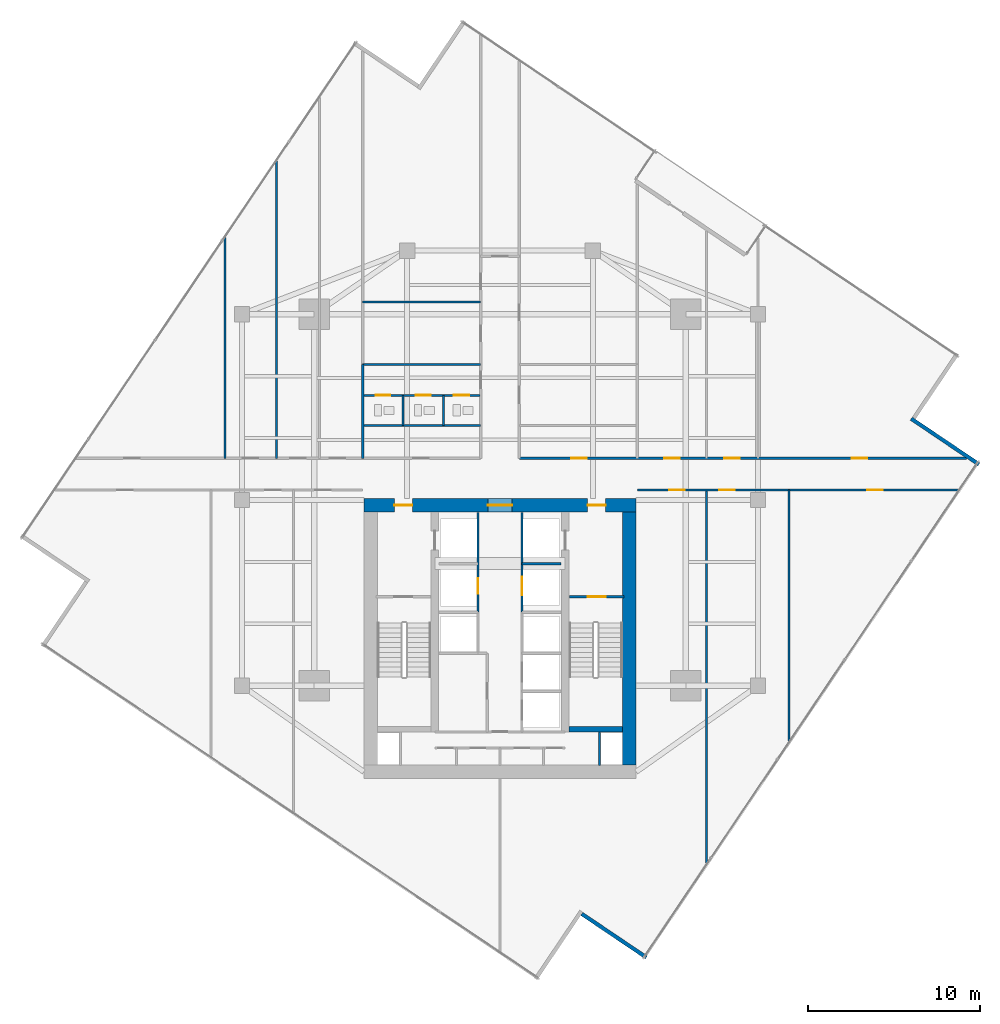
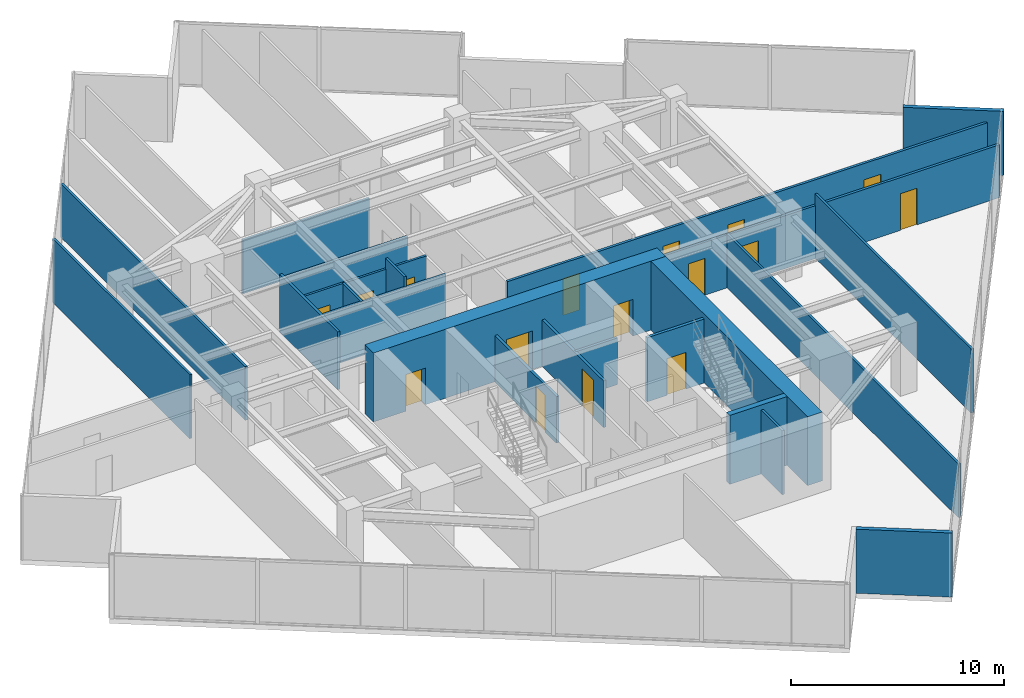
# One storey, part 24 of 27: 23 walls, 16 doors, 16 openings.
"""IFC4 building model written with IfcOpenShell, lengths in metres."""

from ifc_helpers import new_model, si_unit, direction, frame, frame_2d, origin, place, context, subcontext, project, spatial, rectangle, extrude, material, layer, layer_set, type_object, element, fill, save


model = new_model("IFC4")

# Units and contexts
model_context = context("Model", 3, precision=1e-05, world=origin(), true_north=direction((0.0, 1.0)))
body_context = subcontext(model_context, "Body", "Model", "MODEL_VIEW")
ifc_project = project(units=[si_unit("LENGTHUNIT", "METRE"), si_unit("AREAUNIT", "SQUARE_METRE"), si_unit("VOLUMEUNIT", "CUBIC_METRE"), si_unit("PLANEANGLEUNIT", "RADIAN"), si_unit("MASSUNIT", "GRAM", prefix="KILO")], contexts=[model_context])

# Site, building, storey
site_placement = place(None, origin())
site = spatial("IfcSite", under=ifc_project, at=site_placement, CompositionType="ELEMENT")
building_placement = place(site_placement, origin())
building = spatial("IfcBuilding", under=site, at=building_placement, Name="Krantzveldt Concourse Tower", CompositionType="ELEMENT")
storey_placement = place(building_placement, frame((0.0, 0.0, 189.64990234375)))
storey = spatial("IfcBuildingStorey", under=building, at=storey_placement, Name="L46", CompositionType="ELEMENT", Elevation=189.64990234375)

# Walls
ifc_material_1 = material(Name="Anodised aluminium 6063-T6", Category="aluminium")
ifc_layer_1 = layer(ifc_material_1, 0.219970703125, Name="Anodised aluminium 6063-T6", Category="aluminium")
ifc_layer_set_1 = layer_set([ifc_layer_1], Name="Anodised aluminium 6063-T6 (WL-EXT-NOTCH220)")
wall_type_1 = type_object("IfcWallType", Name="WL-EXT-NOTCH220", PredefinedType="ELEMENTEDWALL", material=ifc_layer_set_1)
wall_1_placement = place(storey_placement, frame((40.7568359375, 2.635986328125, 0.0), z_axis=(0.0, 0.0, 1.0), x_axis=(0.82905002528, -0.559174441104, 0.0)))
element("IfcWall", 1, at=wall_1_placement, inside=storey, type_object=wall_type_1, Name="EW-L46-NCH06", PredefinedType="ELEMENTEDWALL", context=body_context, shape_type="SweptSolid", body=[
    extrude(rectangle(XDim=4.52490234375, YDim=0.219970703125, at=frame_2d((2.262451171875, 0.0))), origin(), (0.0, 0.0, 1.0), 3.670166015625),
])
wall_2_placement = place(storey_placement, frame((63.844970703125, 28.773681640625, 0.0), z_axis=(0.0, 0.0, 1.0), x_axis=(-0.829006114382, 0.559239539301, 0.0)))
element("IfcWall", 2, at=wall_2_placement, inside=storey, type_object=wall_type_1, Name="EW-L46-NCH08", PredefinedType="ELEMENTEDWALL", context=body_context, shape_type="SweptSolid", body=[
    extrude(rectangle(XDim=4.744873046875, YDim=0.219970703125, at=frame_2d((2.37255859375, 0.0))), origin(), (0.0, 0.0, 1.0), 3.670166015625),
])
ifc_material_2 = material(Name="Fire-rated gypsum plasterboard on steel stud", Category="steel")
ifc_layer_2 = layer(ifc_material_2, 0.1201171875, Name="Fire-rated gypsum plasterboard on steel stud", Category="steel")
ifc_layer_set_2 = layer_set([ifc_layer_2], Name="Fire-rated gypsum plasterboard on steel stud (WL-PART-120)")
wall_type_2 = type_object("IfcWallType", Name="WL-PART-120", PredefinedType="PARTITIONING", material=ifc_layer_set_2)
wall_3_placement = place(storey_placement, frame((28.02001953125, 31.02001953125, 0.0), z_axis=(0.0, 0.0, 1.0), x_axis=(1.0, 0.0, 0.0)))
element("IfcWall", 3, at=wall_3_placement, inside=storey, type_object=wall_type_2, Name="WP-L46-ISML", PredefinedType="PARTITIONING", context=body_context, shape_type="SweptSolid", body=[
    extrude(rectangle(XDim=6.85986328125, YDim=0.1201171875, at=frame_2d((3.429931640625, 0.0))), origin(), (0.0, 0.0, 1.0), 3.080078125),
])

# Wall, openings, doors
wall_4_placement = place(storey_placement, frame((28.050048828125, 32.780029296875, 0.0), z_axis=(0.0, 0.0, 1.0), x_axis=(1.0, 0.0, 0.0)))
wall_4 = element("IfcWall", 4, at=wall_4_placement, inside=storey, type_object=wall_type_2, Name="WP-L46-WCHDR", PredefinedType="PARTITIONING", context=body_context, shape_type="SweptSolid", body=[
    extrude(rectangle(XDim=6.800048828125, YDim=0.1201171875, at=frame_2d((3.39990234375, 0.0))), origin(), (0.0, 0.0, 1.0), 3.080078125),
])
opening_1_placement = place(wall_4_placement, frame((0.72509765625, 0.0, 0.0)))
opening_1 = element("IfcOpeningElement", 5, at=opening_1_placement, cuts=wall_4, Name="Opening D-IN085", PredefinedType="OPENING", context=body_context, shape_type="SweptSolid", body=[
    extrude(rectangle(XDim=0.85009765625, YDim=2.10009765625, at=frame_2d((0.425048828125, 1.050048828125))), frame((0.0, 0.070068359375, 0.0), z_axis=(0.0, -1.0, 0.0), x_axis=(1.0, 0.0, 0.0)), (0.0, 0.0, 1.0), 0.14013671875),
])
opening_2_placement = place(wall_4_placement, frame((3.06494140625, 0.0, 0.0)))
opening_2 = element("IfcOpeningElement", 6, at=opening_2_placement, cuts=wall_4, Name="Opening D-IN085", PredefinedType="OPENING", context=body_context, shape_type="SweptSolid", body=[
    extrude(rectangle(XDim=0.85009765625, YDim=2.10009765625, at=frame_2d((0.425048828125, 1.050048828125))), frame((0.0, 0.070068359375, 0.0), z_axis=(0.0, -1.0, 0.0), x_axis=(1.0, 0.0, 0.0)), (0.0, 0.0, 1.0), 0.14013671875),
])
opening_3_placement = place(wall_4_placement, frame((5.25, 0.0, 0.0)))
opening_3 = element("IfcOpeningElement", 7, at=opening_3_placement, cuts=wall_4, Name="Opening D-IN090", PredefinedType="OPENING", context=body_context, shape_type="SweptSolid", body=[
    extrude(rectangle(XDim=0.89990234375, YDim=2.10009765625, at=frame_2d((0.449951171875, 1.050048828125))), frame((0.0, 0.070068359375, 0.0), z_axis=(0.0, -1.0, 0.0), x_axis=(1.0, 0.0, 0.0)), (0.0, 0.0, 1.0), 0.14013671875),
])
ifc_material_3 = material(Name="Hardwood timber", Category="wood")
door_type_1 = type_object("IfcDoorType", Name="DR-INT-850", OperationType="SINGLE_SWING_LEFT", PredefinedType="DOOR", material=ifc_material_3)
door_1_placement = place(opening_1_placement, origin())
door_1 = element("IfcDoor", 8, at=door_1_placement, inside=storey, type_object=door_type_1, Name="DR-L46-WCM", OperationType="SINGLE_SWING_LEFT", OverallHeight=2.10009765625, OverallWidth=0.85009765625, PredefinedType="DOOR", context=body_context, shape_type="SweptSolid", body=[
    extrude(rectangle(XDim=0.85009765625, YDim=2.10009765625, at=frame_2d((0.425048828125, 1.050048828125))), frame((0.0, 0.02490234375, 0.0), z_axis=(0.0, -1.0, 0.0), x_axis=(1.0, 0.0, 0.0)), (0.0, 0.0, 1.0), 0.050048828125),
])
fill(opening_1, door_1)
door_2_placement = place(opening_2_placement, origin())
door_2 = element("IfcDoor", 9, at=door_2_placement, inside=storey, type_object=door_type_1, Name="DR-L46-WCF", OperationType="SINGLE_SWING_RIGHT", OverallHeight=2.10009765625, OverallWidth=0.85009765625, PredefinedType="DOOR", context=body_context, shape_type="SweptSolid", body=[
    extrude(rectangle(XDim=0.85009765625, YDim=2.10009765625, at=frame_2d((0.425048828125, 1.050048828125))), frame((0.0, 0.02490234375, 0.0), z_axis=(0.0, -1.0, 0.0), x_axis=(1.0, 0.0, 0.0)), (0.0, 0.0, 1.0), 0.050048828125),
])
fill(opening_2, door_2)
door_type_2 = type_object("IfcDoorType", Name="DR-INT-900", OperationType="SINGLE_SWING_LEFT", PredefinedType="DOOR", material=ifc_material_3)
door_3_placement = place(opening_3_placement, origin())
door_3 = element("IfcDoor", 10, at=door_3_placement, inside=storey, type_object=door_type_2, Name="DR-L46-WCA", OperationType="SINGLE_SWING_LEFT", OverallHeight=2.10009765625, OverallWidth=0.89990234375, PredefinedType="DOOR", context=body_context, shape_type="SweptSolid", body=[
    extrude(rectangle(XDim=0.89990234375, YDim=2.10009765625, at=frame_2d((0.449951171875, 1.050048828125))), frame((0.0, 0.02490234375, 0.0), z_axis=(0.0, -1.0, 0.0), x_axis=(1.0, 0.0, 0.0)), (0.0, 0.0, 1.0), 0.050048828125),
])
fill(opening_3, door_3)

# Walls
wall_5_placement = place(storey_placement, frame((30.3701171875, 31.02001953125, 0.0), z_axis=(0.0, 0.0, 1.0), x_axis=(0.0, 1.0, 0.0)))
element("IfcWall", 11, at=wall_5_placement, inside=storey, type_object=wall_type_2, Name="WP-L46-WCD1", PredefinedType="PARTITIONING", context=body_context, shape_type="SweptSolid", body=[
    extrude(rectangle(XDim=1.760009765625, YDim=0.1201171875, at=frame_2d((0.8798828125, 0.0))), origin(), (0.0, 0.0, 1.0), 3.080078125),
])
wall_6_placement = place(storey_placement, frame((32.7099609375, 31.02001953125, 0.0), z_axis=(0.0, 0.0, 1.0), x_axis=(0.0, 1.0, 0.0)))
element("IfcWall", 12, at=wall_6_placement, inside=storey, type_object=wall_type_2, Name="WP-L46-WCD2", PredefinedType="PARTITIONING", context=body_context, shape_type="SweptSolid", body=[
    extrude(rectangle(XDim=1.760009765625, YDim=0.1201171875, at=frame_2d((0.8798828125, 0.0))), origin(), (0.0, 0.0, 1.0), 3.670166015625),
])
wall_7_placement = place(storey_placement, frame((20.0, 29.1201171875, 0.0), z_axis=(0.0, 0.0, 1.0), x_axis=(0.0, 1.0, 0.0)))
element("IfcWall", 13, at=wall_7_placement, inside=storey, type_object=wall_type_2, Name="WP-L46-NWX1", PredefinedType="PARTITIONING", context=body_context, shape_type="SweptSolid", body=[
    extrude(rectangle(XDim=12.861572265625, YDim=0.1201171875, at=frame_2d((6.4306640625, 0.0))), origin(), (0.0, 0.0, 1.0), 3.670166015625),
])
wall_8_placement = place(storey_placement, frame((23.0, 29.1201171875, 0.0), z_axis=(0.0, 0.0, 1.0), x_axis=(0.0, 1.0, 0.0)))
element("IfcWall", 14, at=wall_8_placement, inside=storey, type_object=wall_type_2, Name="WP-L46-NWX2", PredefinedType="PARTITIONING", context=body_context, shape_type="SweptSolid", body=[
    extrude(rectangle(XDim=17.309326171875, YDim=0.1201171875, at=frame_2d((8.65478515625, 0.0))), origin(), (0.0, 0.0, 1.0), 3.080078125),
])
wall_9_placement = place(storey_placement, frame((28.02001953125, 38.199951171875, 0.0), z_axis=(0.0, 0.0, 1.0), x_axis=(1.0, 0.0, 0.0)))
element("IfcWall", 15, at=wall_9_placement, inside=storey, type_object=wall_type_2, Name="WP-L46-NWIY", PredefinedType="PARTITIONING", context=body_context, shape_type="SweptSolid", body=[
    extrude(rectangle(XDim=6.85986328125, YDim=0.1201171875, at=frame_2d((3.429931640625, 0.0))), origin(), (0.0, 0.0, 1.0), 3.080078125),
])
wall_10_placement = place(storey_placement, frame((48.0, 5.488037109375, 0.0), z_axis=(0.0, 0.0, 1.0), x_axis=(0.0, 1.0, 0.0)))
element("IfcWall", 16, at=wall_10_placement, inside=storey, type_object=wall_type_2, Name="WP-L46-SEX1", PredefinedType="PARTITIONING", context=body_context, shape_type="SweptSolid", body=[
    extrude(rectangle(XDim=21.7919921875, YDim=0.1201171875, at=frame_2d((10.89599609375, 0.0))), origin(), (0.0, 0.0, 1.0), 3.080078125),
])
wall_11_placement = place(storey_placement, frame((52.800048828125, 12.6044921875, 0.0), z_axis=(0.0, 0.0, 1.0), x_axis=(0.0, 1.0, 0.0)))
element("IfcWall", 17, at=wall_11_placement, inside=storey, type_object=wall_type_2, Name="WP-L46-SEX2", PredefinedType="PARTITIONING", context=body_context, shape_type="SweptSolid", body=[
    extrude(rectangle(XDim=14.675537109375, YDim=0.1201171875, at=frame_2d((7.337890625, 0.0))), origin(), (0.0, 0.0, 1.0), 3.670166015625),
])

# Wall, openings, doors
ifc_layer_3 = layer(ifc_material_2, 0.139892578125, Name="Fire-rated gypsum plasterboard on steel stud", Category="steel")
ifc_layer_set_3 = layer_set([ifc_layer_3], Name="Fire-rated gypsum plasterboard on steel stud (WL-PART-140)")
wall_type_3 = type_object("IfcWallType", Name="WL-PART-140", PredefinedType="PARTITIONING", material=ifc_layer_set_3)
wall_12_placement = place(storey_placement, frame((37.1201171875, 29.1201171875, 0.0), z_axis=(0.0, 0.0, 1.0), x_axis=(1.0, 0.0, 0.0)))
wall_12 = element("IfcWall", 18, at=wall_12_placement, inside=storey, type_object=wall_type_3, Name="WP-L46-EWNR", PredefinedType="PARTITIONING", context=body_context, shape_type="SweptSolid", body=[
    extrude(rectangle(XDim=26.006103515625, YDim=0.139892578125, at=frame_2d((13.0029296875, 0.0))), origin(), (0.0, 0.0, 1.0), 3.030029296875),
])
opening_4_placement = place(wall_12_placement, frame((3.030029296875, 0.0, 0.0)))
opening_4 = element("IfcOpeningElement", 19, at=opening_4_placement, cuts=wall_12, Name="Opening D-IN090", PredefinedType="OPENING", context=body_context, shape_type="SweptSolid", body=[
    extrude(rectangle(XDim=0.89990234375, YDim=2.10009765625, at=frame_2d((0.449951171875, 1.050048828125))), frame((0.0, 0.080078125, 0.0), z_axis=(0.0, -1.0, 0.0), x_axis=(1.0, 0.0, 0.0)), (0.0, 0.0, 1.0), 0.159912109375),
])
opening_5_placement = place(wall_12_placement, frame((8.419921875, 0.0, 0.0)))
opening_5 = element("IfcOpeningElement", 20, at=opening_5_placement, cuts=wall_12, Name="Opening D-IN090", PredefinedType="OPENING", context=body_context, shape_type="SweptSolid", body=[
    extrude(rectangle(XDim=0.89990234375, YDim=2.10009765625, at=frame_2d((0.449951171875, 1.050048828125))), frame((0.0, 0.080078125, 0.0), z_axis=(0.0, -1.0, 0.0), x_axis=(1.0, 0.0, 0.0)), (0.0, 0.0, 1.0), 0.159912109375),
])
opening_6_placement = place(wall_12_placement, frame((11.929931640625, 0.0, 0.0)))
opening_6 = element("IfcOpeningElement", 21, at=opening_6_placement, cuts=wall_12, Name="Opening D-IN090", PredefinedType="OPENING", context=body_context, shape_type="SweptSolid", body=[
    extrude(rectangle(XDim=0.89990234375, YDim=2.10009765625, at=frame_2d((0.449951171875, 1.050048828125))), frame((0.0, 0.080078125, 0.0), z_axis=(0.0, -1.0, 0.0), x_axis=(1.0, 0.0, 0.0)), (0.0, 0.0, 1.0), 0.159912109375),
])
opening_7_placement = place(wall_12_placement, frame((19.320068359375, 0.0, 0.0)))
opening_7 = element("IfcOpeningElement", 22, at=opening_7_placement, cuts=wall_12, Name="Opening D-IN090", PredefinedType="OPENING", context=body_context, shape_type="SweptSolid", body=[
    extrude(rectangle(XDim=0.89990234375, YDim=2.10009765625, at=frame_2d((0.449951171875, 1.050048828125))), frame((0.0, 0.080078125, 0.0), z_axis=(0.0, -1.0, 0.0), x_axis=(1.0, 0.0, 0.0)), (0.0, 0.0, 1.0), 0.159912109375),
])
door_4_placement = place(opening_4_placement, origin())
door_4 = element("IfcDoor", 23, at=door_4_placement, inside=storey, type_object=door_type_2, Name="DR-L46-ALCR", OperationType="SINGLE_SWING_RIGHT", OverallHeight=2.10009765625, OverallWidth=0.89990234375, PredefinedType="DOOR", context=body_context, shape_type="SweptSolid", body=[
    extrude(rectangle(XDim=0.89990234375, YDim=2.10009765625, at=frame_2d((0.449951171875, 1.050048828125))), frame((0.0, 0.02490234375, 0.0), z_axis=(0.0, -1.0, 0.0), x_axis=(1.0, 0.0, 0.0)), (0.0, 0.0, 1.0), 0.050048828125),
])
fill(opening_4, door_4)
door_5_placement = place(opening_5_placement, origin())
door_5 = element("IfcDoor", 24, at=door_5_placement, inside=storey, type_object=door_type_2, Name="DR-L46-NEX1", OperationType="SINGLE_SWING_RIGHT", OverallHeight=2.10009765625, OverallWidth=0.89990234375, PredefinedType="DOOR", context=body_context, shape_type="SweptSolid", body=[
    extrude(rectangle(XDim=0.89990234375, YDim=2.10009765625, at=frame_2d((0.449951171875, 1.050048828125))), frame((0.0, 0.02490234375, 0.0), z_axis=(0.0, -1.0, 0.0), x_axis=(1.0, 0.0, 0.0)), (0.0, 0.0, 1.0), 0.050048828125),
])
fill(opening_5, door_5)
door_6_placement = place(opening_6_placement, origin())
door_6 = element("IfcDoor", 25, at=door_6_placement, inside=storey, type_object=door_type_2, Name="DR-L46-NEX2", OperationType="SINGLE_SWING_RIGHT", OverallHeight=2.10009765625, OverallWidth=0.89990234375, PredefinedType="DOOR", context=body_context, shape_type="SweptSolid", body=[
    extrude(rectangle(XDim=0.89990234375, YDim=2.10009765625, at=frame_2d((0.449951171875, 1.050048828125))), frame((0.0, 0.02490234375, 0.0), z_axis=(0.0, -1.0, 0.0), x_axis=(1.0, 0.0, 0.0)), (0.0, 0.0, 1.0), 0.050048828125),
])
fill(opening_6, door_6)
door_7_placement = place(opening_7_placement, origin())
door_7 = element("IfcDoor", 26, at=door_7_placement, inside=storey, type_object=door_type_2, Name="DR-L46-NEX3", OperationType="SINGLE_SWING_RIGHT", OverallHeight=2.10009765625, OverallWidth=0.89990234375, PredefinedType="DOOR", context=body_context, shape_type="SweptSolid", body=[
    extrude(rectangle(XDim=0.89990234375, YDim=2.10009765625, at=frame_2d((0.449951171875, 1.050048828125))), frame((0.0, 0.02490234375, 0.0), z_axis=(0.0, -1.0, 0.0), x_axis=(1.0, 0.0, 0.0)), (0.0, 0.0, 1.0), 0.050048828125),
])
fill(opening_7, door_7)

wall_13_placement = place(storey_placement, frame((44.0, 27.280029296875, 0.0), z_axis=(0.0, 0.0, 1.0), x_axis=(1.0, 0.0, 0.0)))
wall_13 = element("IfcWall", 27, at=wall_13_placement, inside=storey, type_object=wall_type_3, Name="WP-L46-EWSR", PredefinedType="PARTITIONING", context=body_context, shape_type="SweptSolid", body=[
    extrude(rectangle(XDim=18.69873046875, YDim=0.139892578125, at=frame_2d((9.349365234375, 0.0))), origin(), (0.0, 0.0, 1.0), 3.030029296875),
])
opening_8_placement = place(wall_13_placement, frame((1.85009765625, 0.0, 0.0)))
opening_8 = element("IfcOpeningElement", 28, at=opening_8_placement, cuts=wall_13, Name="Opening D-IN090", PredefinedType="OPENING", context=body_context, shape_type="SweptSolid", body=[
    extrude(rectangle(XDim=0.89990234375, YDim=2.10009765625, at=frame_2d((0.449951171875, 1.050048828125))), frame((0.0, 0.080078125, 0.0), z_axis=(0.0, -1.0, 0.0), x_axis=(1.0, 0.0, 0.0)), (0.0, 0.0, 1.0), 0.159912109375),
])
opening_9_placement = place(wall_13_placement, frame((4.75, 0.0, 0.0)))
opening_9 = element("IfcOpeningElement", 29, at=opening_9_placement, cuts=wall_13, Name="Opening D-IN090", PredefinedType="OPENING", context=body_context, shape_type="SweptSolid", body=[
    extrude(rectangle(XDim=0.89990234375, YDim=2.10009765625, at=frame_2d((0.449951171875, 1.050048828125))), frame((0.0, 0.080078125, 0.0), z_axis=(0.0, -1.0, 0.0), x_axis=(1.0, 0.0, 0.0)), (0.0, 0.0, 1.0), 0.159912109375),
])
opening_10_placement = place(wall_13_placement, frame((13.340087890625, 0.0, 0.0)))
opening_10 = element("IfcOpeningElement", 30, at=opening_10_placement, cuts=wall_13, Name="Opening D-IN090", PredefinedType="OPENING", context=body_context, shape_type="SweptSolid", body=[
    extrude(rectangle(XDim=0.89990234375, YDim=2.10009765625, at=frame_2d((0.449951171875, 1.050048828125))), frame((0.0, 0.080078125, 0.0), z_axis=(0.0, -1.0, 0.0), x_axis=(1.0, 0.0, 0.0)), (0.0, 0.0, 1.0), 0.159912109375),
])
door_8_placement = place(opening_8_placement, origin())
door_8 = element("IfcDoor", 31, at=door_8_placement, inside=storey, type_object=door_type_2, Name="DR-L46-SEX1", OperationType="SINGLE_SWING_RIGHT", OverallHeight=2.10009765625, OverallWidth=0.89990234375, PredefinedType="DOOR", context=body_context, shape_type="SweptSolid", body=[
    extrude(rectangle(XDim=0.89990234375, YDim=2.10009765625, at=frame_2d((0.449951171875, 1.050048828125))), frame((0.0, 0.02490234375, 0.0), z_axis=(0.0, -1.0, 0.0), x_axis=(1.0, 0.0, 0.0)), (0.0, 0.0, 1.0), 0.050048828125),
])
fill(opening_8, door_8)
door_9_placement = place(opening_9_placement, origin())
door_9 = element("IfcDoor", 32, at=door_9_placement, inside=storey, type_object=door_type_2, Name="DR-L46-SEX2", OperationType="SINGLE_SWING_RIGHT", OverallHeight=2.10009765625, OverallWidth=0.89990234375, PredefinedType="DOOR", context=body_context, shape_type="SweptSolid", body=[
    extrude(rectangle(XDim=0.89990234375, YDim=2.10009765625, at=frame_2d((0.449951171875, 1.050048828125))), frame((0.0, 0.02490234375, 0.0), z_axis=(0.0, -1.0, 0.0), x_axis=(1.0, 0.0, 0.0)), (0.0, 0.0, 1.0), 0.050048828125),
])
fill(opening_9, door_9)
door_10_placement = place(opening_10_placement, origin())
door_10 = element("IfcDoor", 33, at=door_10_placement, inside=storey, type_object=door_type_2, Name="DR-L46-SEX3", OperationType="SINGLE_SWING_RIGHT", OverallHeight=2.10009765625, OverallWidth=0.89990234375, PredefinedType="DOOR", context=body_context, shape_type="SweptSolid", body=[
    extrude(rectangle(XDim=0.89990234375, YDim=2.10009765625, at=frame_2d((0.449951171875, 1.050048828125))), frame((0.0, 0.02490234375, 0.0), z_axis=(0.0, -1.0, 0.0), x_axis=(1.0, 0.0, 0.0)), (0.0, 0.0, 1.0), 0.050048828125),
])
fill(opening_10, door_10)

# Walls
wall_14_placement = place(storey_placement, frame((28.02001953125, 34.580078125, 0.0), z_axis=(0.0, 0.0, 1.0), x_axis=(1.0, 0.0, 0.0)))
element("IfcWall", 34, at=wall_14_placement, inside=storey, type_object=wall_type_3, Name="WP-L46-ISNL", PredefinedType="PARTITIONING", context=body_context, shape_type="SweptSolid", body=[
    extrude(rectangle(XDim=6.85986328125, YDim=0.139892578125, at=frame_2d((3.429931640625, 0.0))), origin(), (0.0, 0.0, 1.0), 3.080078125),
])
wall_15_placement = place(storey_placement, frame((28.02001953125, 29.1201171875, 0.0), z_axis=(0.0, 0.0, 1.0), x_axis=(0.0, 1.0, 0.0)))
element("IfcWall", 35, at=wall_15_placement, inside=storey, type_object=wall_type_3, Name="WP-L46-ISWL", PredefinedType="PARTITIONING", context=body_context, shape_type="SweptSolid", body=[
    extrude(rectangle(XDim=5.4599609375, YDim=0.139892578125, at=frame_2d((2.72998046875, 0.0))), origin(), (0.0, 0.0, 1.0), 3.31005859375),
])

# Wall, opening, door
ifc_layer_4 = layer(ifc_material_2, 0.139892578125, Name="Fire-rated gypsum plasterboard on steel stud", Category="steel")
ifc_layer_set_4 = layer_set([ifc_layer_4], Name="Fire-rated gypsum plasterboard on steel stud (WL-PART-FR140)")
wall_type_4 = type_object("IfcWallType", Name="WL-PART-FR140", PredefinedType="PARTITIONING", material=ifc_layer_set_4)
wall_16_placement = place(storey_placement, frame((34.719970703125, 20.199951171875, 0.0), z_axis=(0.0, 0.0, 1.0), x_axis=(0.0, 1.0, 0.0)))
wall_16 = element("IfcWall", 36, at=wall_16_placement, inside=storey, type_object=wall_type_4, Name="WP-L46-SHNW", PredefinedType="PARTITIONING", context=body_context, shape_type="SweptSolid", body=[
    extrude(rectangle(XDim=5.780029296875, YDim=0.139892578125, at=frame_2d((2.89013671875, 0.0))), origin(), (0.0, 0.0, 1.0), 2.670166015625),
])
opening_11_placement = place(wall_16_placement, frame((1.050048828125, 0.0, 0.0)))
opening_11 = element("IfcOpeningElement", 37, at=opening_11_placement, cuts=wall_16, Name="Opening D-FD090", PredefinedType="OPENING", context=body_context, shape_type="SweptSolid", body=[
    extrude(rectangle(XDim=0.89990234375, YDim=2.10009765625, at=frame_2d((0.449951171875, 1.050048828125))), frame((0.0, 0.080078125, 0.0), z_axis=(0.0, -1.0, 0.0), x_axis=(1.0, 0.0, 0.0)), (0.0, 0.0, 1.0), 0.159912109375),
])
door_type_3 = type_object("IfcDoorType", Name="DR-FD60-900", OperationType="SINGLE_SWING_LEFT", PredefinedType="DOOR", material=ifc_material_3)
door_11_placement = place(opening_11_placement, origin())
door_11 = element("IfcDoor", 38, at=door_11_placement, inside=storey, type_object=door_type_3, Name="Electrical Riser Access Door L46", OperationType="SINGLE_SWING_LEFT", OverallHeight=2.10009765625, OverallWidth=0.89990234375, PredefinedType="DOOR", context=body_context, shape_type="SweptSolid", body=[
    extrude(rectangle(XDim=0.89990234375, YDim=2.10009765625, at=frame_2d((0.449951171875, 1.050048828125))), frame((0.0, 0.02490234375, 0.0), z_axis=(0.0, -1.0, 0.0), x_axis=(1.0, 0.0, 0.0)), (0.0, 0.0, 1.0), 0.050048828125),
])
fill(opening_11, door_11)

wall_17_placement = place(storey_placement, frame((37.280029296875, 20.199951171875, 0.0), z_axis=(0.0, 0.0, 1.0), x_axis=(0.0, 1.0, 0.0)))
wall_17 = element("IfcWall", 39, at=wall_17_placement, inside=storey, type_object=wall_type_4, Name="WP-L46-SHNE", PredefinedType="PARTITIONING", context=body_context, shape_type="SweptSolid", body=[
    extrude(rectangle(XDim=5.780029296875, YDim=0.139892578125, at=frame_2d((2.89013671875, 0.0))), origin(), (0.0, 0.0, 1.0), 2.670166015625),
])
opening_12_placement = place(wall_17_placement, frame((0.949951171875, 0.0, 0.0)))
opening_12 = element("IfcOpeningElement", 40, at=opening_12_placement, cuts=wall_17, Name="Opening LD", PredefinedType="OPENING", context=body_context, shape_type="SweptSolid", body=[
    extrude(rectangle(XDim=1.10009765625, YDim=2.14990234375, at=frame_2d((0.550048828125, 1.074951171875))), frame((0.0, 0.080078125, 0.0), z_axis=(0.0, -1.0, 0.0), x_axis=(1.0, 0.0, 0.0)), (0.0, 0.0, 1.0), 0.159912109375),
])
ifc_material_4 = material(Name="Stainless steel 316L", Category="steel")
door_type_4 = type_object("IfcDoorType", Name="DR-SLIDE-LD1100", OperationType="DOUBLE_DOOR_SLIDING", PredefinedType="DOOR", material=ifc_material_4)
door_12_placement = place(opening_12_placement, origin())
door_12 = element("IfcDoor", 41, at=door_12_placement, inside=storey, type_object=door_type_4, Name="LD-L46-GL1", OperationType="DOUBLE_DOOR_SLIDING", OverallHeight=2.14990234375, OverallWidth=1.10009765625, PredefinedType="DOOR", context=body_context, shape_type="SweptSolid", body=[
    extrude(rectangle(XDim=1.10009765625, YDim=2.14990234375, at=frame_2d((0.550048828125, 1.074951171875))), frame((0.0, 0.02490234375, 0.0), z_axis=(0.0, -1.0, 0.0), x_axis=(1.0, 0.0, 0.0)), (0.0, 0.0, 1.0), 0.050048828125),
])
fill(opening_12, door_12)

# Walls
wall_18_placement = place(storey_placement, frame((37.280029296875, 23.0, 0.0), z_axis=(0.0, 0.0, 1.0), x_axis=(1.0, 0.0, 0.0)))
element("IfcWall", 42, at=wall_18_placement, inside=storey, type_object=wall_type_4, Name="WP-L46-GLH", PredefinedType="PARTITIONING", context=body_context, shape_type="SweptSolid", body=[
    extrude(rectangle(XDim=2.27001953125, YDim=0.139892578125, at=frame_2d((1.135009765625, 0.0))), origin(), (0.0, 0.0, 1.0), 2.670166015625),
])
wall_19_placement = place(storey_placement, frame((41.780029296875, 11.25, 0.0), z_axis=(0.0, 0.0, 1.0), x_axis=(0.0, 1.0, 0.0)))
element("IfcWall", 43, at=wall_19_placement, inside=storey, type_object=wall_type_4, Name="WP-L46-RSE", PredefinedType="PARTITIONING", context=body_context, shape_type="SweptSolid", body=[
    extrude(rectangle(XDim=1.969970703125, YDim=0.1201171875, at=frame_2d((0.98486328125, 0.0))), origin(), (0.0, 0.0, 1.0), 3.670166015625),
])

# Wall, opening, door
ifc_layer_5 = layer(ifc_material_2, 0.159912109375, Name="Fire-rated gypsum plasterboard on steel stud", Category="steel")
ifc_layer_set_5 = layer_set([ifc_layer_5], Name="Fire-rated gypsum plasterboard on steel stud (WL-PART-FR160)")
wall_type_5 = type_object("IfcWallType", Name="WL-PART-FR160", PredefinedType="PARTITIONING", material=ifc_layer_set_5)
wall_20_placement = place(storey_placement, frame((40.0400390625, 21.080078125, 0.0), z_axis=(0.0, 0.0, 1.0), x_axis=(1.0, 0.0, 0.0)))
wall_20 = element("IfcWall", 44, at=wall_20_placement, inside=storey, type_object=wall_type_5, Name="WP-L46-ST2", PredefinedType="PARTITIONING", context=body_context, shape_type="SweptSolid", body=[
    extrude(rectangle(XDim=3.159912109375, YDim=0.159912109375, at=frame_2d((1.580078125, 0.0))), origin(), (0.0, 0.0, 1.0), 3.670166015625),
])
opening_13_placement = place(wall_20_placement, frame((1.054931640625, 0.0, 0.0)))
opening_13 = element("IfcOpeningElement", 45, at=opening_13_placement, cuts=wall_20, Name="Opening D-FD105", PredefinedType="OPENING", context=body_context, shape_type="SweptSolid", body=[
    extrude(rectangle(XDim=1.050048828125, YDim=2.10009765625, at=frame_2d((0.52490234375, 1.050048828125))), frame((0.0, 0.08984375, 0.0), z_axis=(0.0, -1.0, 0.0), x_axis=(1.0, 0.0, 0.0)), (0.0, 0.0, 1.0), 0.179931640625),
])
ifc_material_5 = material(Name="Galvanised steel", Category="steel")
door_type_5 = type_object("IfcDoorType", Name="DR-FD120-1050", OperationType="SINGLE_SWING_LEFT", PredefinedType="DOOR", material=ifc_material_5)
door_13_placement = place(opening_13_placement, origin())
door_13 = element("IfcDoor", 46, at=door_13_placement, inside=storey, type_object=door_type_5, Name="DR-L46-ST2", OperationType="SINGLE_SWING_LEFT", OverallHeight=2.10009765625, OverallWidth=1.050048828125, PredefinedType="DOOR", context=body_context, shape_type="SweptSolid", body=[
    extrude(rectangle(XDim=1.050048828125, YDim=2.10009765625, at=frame_2d((0.52490234375, 1.050048828125))), frame((0.0, 0.02490234375, 0.0), z_axis=(0.0, -1.0, 0.0), x_axis=(1.0, 0.0, 0.0)), (0.0, 0.0, 1.0), 0.050048828125),
])
fill(opening_13, door_13)

# Wall
ifc_material_6 = material(Name="Concrete C50/60", Category="concrete")
ifc_layer_6 = layer(ifc_material_6, 0.300048828125, Name="Concrete C50/60", Category="concrete")
ifc_layer_set_6 = layer_set([ifc_layer_6], Name="Concrete C50/60 (WL-SHEAR-300)")
wall_type_6 = type_object("IfcWallType", Name="WL-SHEAR-300", PredefinedType="SHEAR", material=ifc_layer_set_6)
wall_21_placement = place(storey_placement, frame((40.02001953125, 13.3701171875, 0.0), z_axis=(0.0, 0.0, 1.0), x_axis=(1.0, 0.0, 0.0)))
element("IfcWall", 47, at=wall_21_placement, inside=storey, type_object=wall_type_6, Name="CW-L46-ST2S", PredefinedType="SHEAR", context=body_context, shape_type="SweptSolid", body=[
    extrude(rectangle(XDim=3.10009765625, YDim=0.300048828125, at=frame_2d((1.550048828125, 0.0))), origin(), (0.0, 0.0, 1.0), 3.9501953125),
])

# Wall, openings, doors
ifc_material_7 = material(Name="Concrete C60/75", Category="concrete")
ifc_layer_7 = layer(ifc_material_7, 0.800048828125, Name="Concrete C60/75", Category="concrete")
ifc_layer_set_7 = layer_set([ifc_layer_7], Name="Concrete C60/75 (WL-SHEAR-800)")
wall_type_7 = type_object("IfcWallType", Name="WL-SHEAR-800", PredefinedType="SHEAR", material=ifc_layer_set_7)
wall_22_placement = place(storey_placement, frame((28.080078125, 26.39990234375, 0.0), z_axis=(0.0, 0.0, 1.0), x_axis=(1.0, 0.0, 0.0)))
wall_22 = element("IfcWall", 48, at=wall_22_placement, inside=storey, type_object=wall_type_7, Name="CW-L46-N", PredefinedType="SHEAR", context=body_context, shape_type="SweptSolid", body=[
    extrude(rectangle(XDim=15.83984375, YDim=0.800048828125, at=frame_2d((7.919921875, 0.0))), origin(), (0.0, 0.0, 1.0), 3.9501953125),
])
opening_14_placement = place(wall_22_placement, frame((7.219970703125, 0.0, 0.0)))
opening_14 = element("IfcOpeningElement", 49, at=opening_14_placement, cuts=wall_22, Name="Opening D-DB140", PredefinedType="OPENING", context=body_context, shape_type="SweptSolid", body=[
    extrude(rectangle(XDim=1.39990234375, YDim=2.199951171875, at=frame_2d((0.699951171875, 1.10009765625))), frame((0.0, 0.41015625, 0.0), z_axis=(0.0, -1.0, 0.0), x_axis=(1.0, 0.0, 0.0)), (0.0, 0.0, 1.0), 0.820068359375),
])
opening_15_placement = place(wall_22_placement, frame((1.77490234375, 0.0, 0.0)))
opening_15 = element("IfcOpeningElement", 50, at=opening_15_placement, cuts=wall_22, Name="Opening D-FD105", PredefinedType="OPENING", context=body_context, shape_type="SweptSolid", body=[
    extrude(rectangle(XDim=1.050048828125, YDim=2.10009765625, at=frame_2d((0.52490234375, 1.050048828125))), frame((0.0, 0.41015625, 0.0), z_axis=(0.0, -1.0, 0.0), x_axis=(1.0, 0.0, 0.0)), (0.0, 0.0, 1.0), 0.820068359375),
])
opening_16_placement = place(wall_22_placement, frame((13.014892578125, 0.0, 0.0)))
opening_16 = element("IfcOpeningElement", 51, at=opening_16_placement, cuts=wall_22, Name="Opening D-FD105", PredefinedType="OPENING", context=body_context, shape_type="SweptSolid", body=[
    extrude(rectangle(XDim=1.050048828125, YDim=2.10009765625, at=frame_2d((0.52490234375, 1.050048828125))), frame((0.0, 0.41015625, 0.0), z_axis=(0.0, -1.0, 0.0), x_axis=(1.0, 0.0, 0.0)), (0.0, 0.0, 1.0), 0.820068359375),
])
door_type_6 = type_object("IfcDoorType", Name="DR-DBL-1400", OperationType="DOUBLE_DOOR_SINGLE_SWING", PredefinedType="DOOR", material=ifc_material_1)
door_14_placement = place(opening_14_placement, origin())
door_14 = element("IfcDoor", 52, at=door_14_placement, inside=storey, type_object=door_type_6, Name="DR-L46-LLB", OperationType="DOUBLE_DOOR_SINGLE_SWING", OverallHeight=2.199951171875, OverallWidth=1.39990234375, PredefinedType="DOOR", context=body_context, shape_type="SweptSolid", body=[
    extrude(rectangle(XDim=1.39990234375, YDim=2.199951171875, at=frame_2d((0.699951171875, 1.10009765625))), frame((0.0, 0.02490234375, 0.0), z_axis=(0.0, -1.0, 0.0), x_axis=(1.0, 0.0, 0.0)), (0.0, 0.0, 1.0), 0.050048828125),
])
fill(opening_14, door_14)
door_15_placement = place(opening_15_placement, origin())
door_15 = element("IfcDoor", 53, at=door_15_placement, inside=storey, type_object=door_type_5, Name="DR-L46-FFL1", OperationType="SINGLE_SWING_LEFT", OverallHeight=2.10009765625, OverallWidth=1.050048828125, PredefinedType="DOOR", context=body_context, shape_type="SweptSolid", body=[
    extrude(rectangle(XDim=1.050048828125, YDim=2.10009765625, at=frame_2d((0.52490234375, 1.050048828125))), frame((0.0, 0.02490234375, 0.0), z_axis=(0.0, -1.0, 0.0), x_axis=(1.0, 0.0, 0.0)), (0.0, 0.0, 1.0), 0.050048828125),
])
fill(opening_15, door_15)
door_16_placement = place(opening_16_placement, origin())
door_16 = element("IfcDoor", 54, at=door_16_placement, inside=storey, type_object=door_type_5, Name="DR-L46-FFL2", OperationType="SINGLE_SWING_RIGHT", OverallHeight=2.10009765625, OverallWidth=1.050048828125, PredefinedType="DOOR", context=body_context, shape_type="SweptSolid", body=[
    extrude(rectangle(XDim=1.050048828125, YDim=2.10009765625, at=frame_2d((0.52490234375, 1.050048828125))), frame((0.0, 0.02490234375, 0.0), z_axis=(0.0, -1.0, 0.0), x_axis=(1.0, 0.0, 0.0)), (0.0, 0.0, 1.0), 0.050048828125),
])
fill(opening_16, door_16)

# Wall
wall_23_placement = place(storey_placement, frame((43.52001953125, 11.300048828125, 0.0), z_axis=(0.0, 0.0, 1.0), x_axis=(0.0, 1.0, 0.0)))
element("IfcWall", 55, at=wall_23_placement, inside=storey, type_object=wall_type_7, Name="CW-L46-E", PredefinedType="SHEAR", context=body_context, shape_type="SweptSolid", body=[
    extrude(rectangle(XDim=14.699951171875, YDim=0.800048828125, at=frame_2d((7.35009765625, 0.0))), origin(), (0.0, 0.0, 1.0), 3.9501953125),
])

save(model, "model.ifc")
